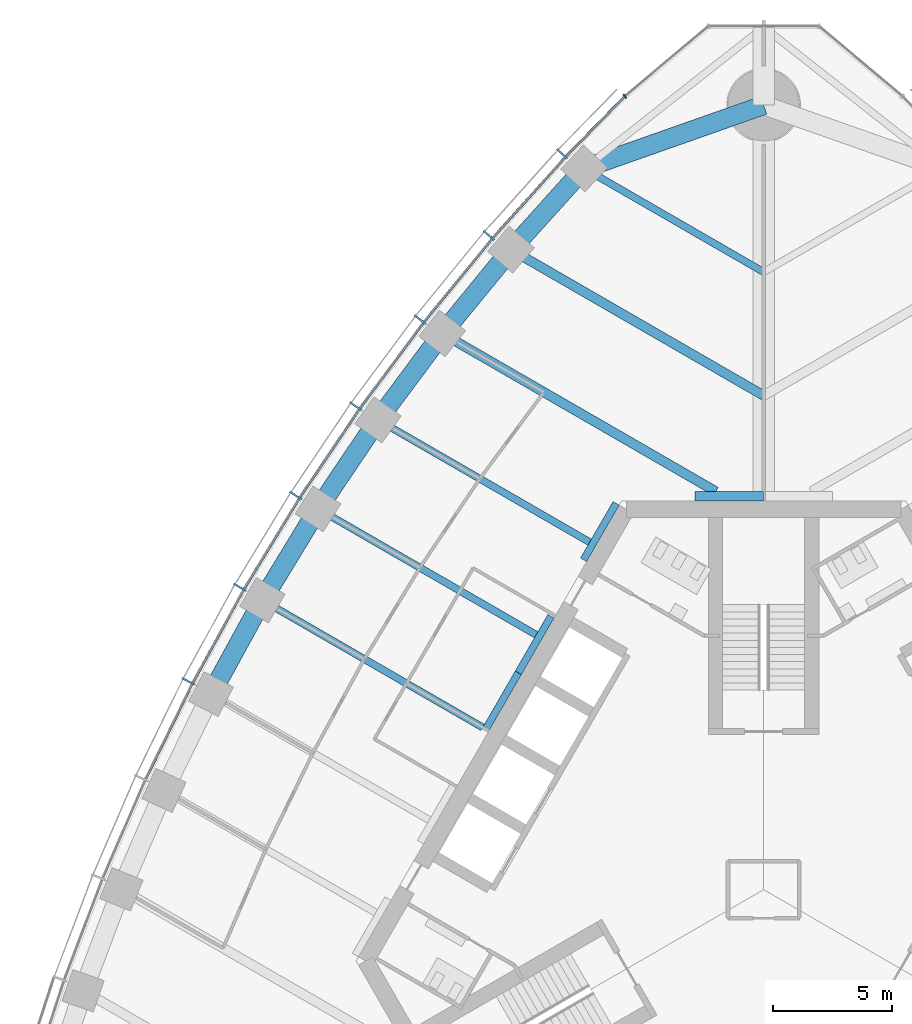
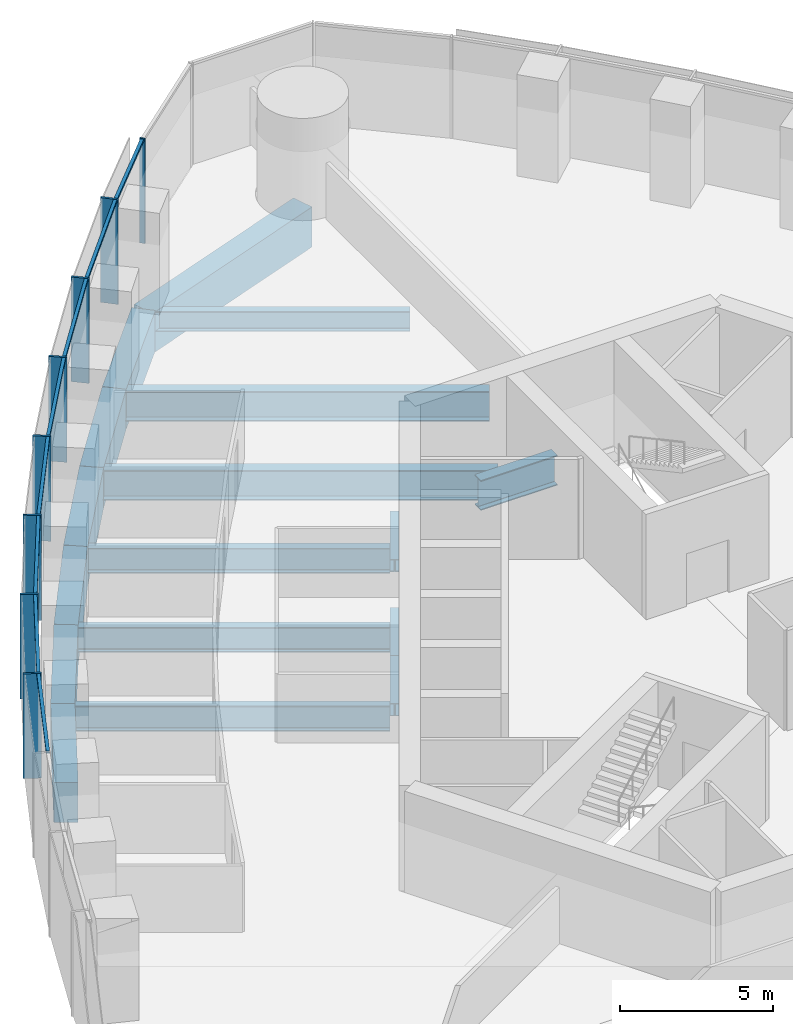
# One storey, part 5 of 19: 17 beams, 16 members, 2 elements without a shape of their own.
"""IFC4 building model written with IfcOpenShell, lengths in metres."""

from ifc_helpers import new_model, si_unit, direction, frame, origin, origin_2d, place, context, subcontext, project, spatial, rectangle, i_section, extrude, material, material_profile, profile_set, type_object, element, aggregate, save


model = new_model("IFC4")

# Units and contexts
model_context = context("Model", 3, precision=1e-05, world=origin(), true_north=direction((0.0, 1.0)))
body_context = subcontext(model_context, "Body", "Model", "MODEL_VIEW")
ifc_project = project(units=[si_unit("LENGTHUNIT", "METRE"), si_unit("AREAUNIT", "SQUARE_METRE"), si_unit("VOLUMEUNIT", "CUBIC_METRE"), si_unit("PLANEANGLEUNIT", "RADIAN"), si_unit("MASSUNIT", "GRAM", prefix="KILO")], contexts=[model_context])

# Site, building, storey
site_placement = place(None, origin())
site = spatial("IfcSite", under=ifc_project, at=site_placement, CompositionType="ELEMENT")
building_placement = place(site_placement, origin())
building = spatial("IfcBuilding", under=site, at=building_placement, Name="Trefoil Bronze Tower", CompositionType="ELEMENT")
storey_placement = place(building_placement, frame((0.0, 0.0, 248.5)))
storey = spatial("IfcBuildingStorey", under=building, at=storey_placement, Name="L57", CompositionType="ELEMENT", Elevation=248.5)

# Curtain wall, members
ifc_material_1 = material(Name="Tinted solar-control glass", Category="glass")
curtain_wall_type_1 = type_object("IfcCurtainWallType", Name="Bronze office curtain wall", PredefinedType="USERDEFINED", material=ifc_material_1)
curtain_wall_1_placement = place(storey_placement, origin())
curtain_wall_1 = element("IfcCurtainWall", 1, at=curtain_wall_1_placement, inside=storey, type_object=curtain_wall_type_1, Name="CW-A L57 F3", ObjectType="CURTAIN WALL", PredefinedType="USERDEFINED")
ifc_material_2 = material(Name="Bronze-finish aluminium", Category="aluminium")
ifc_material_profile_1 = material_profile(ifc_material_2, rectangle(XDim=0.60009765625, YDim=0.080078125, at=origin_2d()), Name="CW-A mullion")
ifc_profile_set_1 = profile_set([ifc_material_profile_1], Name="Bronze-finish aluminium")
member_type_1 = type_object("IfcMemberType", Name="Bronze office curtain wall mullion", PredefinedType="MULLION", material=ifc_profile_set_1)
member_1_placement = place(storey_placement, frame((-8.482177734375, 30.95654296875, 0.0), z_axis=(0.0, 0.0, 1.0), x_axis=(0.729859580661, -0.683597098091, 0.0)))
member_1 = element("IfcMember", 2, at=member_1_placement, type_object=member_type_1, Name="CW-A L57 F3 mullion 2", PredefinedType="MULLION", context=body_context, shape_type="SweptSolid", body=[
    extrude(rectangle(XDim=0.60009765625, YDim=0.080078125, at=origin_2d()), origin(), (0.0, 0.0, 1.0), 4.179931640625),
])
member_2_placement = place(storey_placement, frame((-11.564697265625, 27.525146484375, 0.0), z_axis=(0.0, 0.0, 1.0), x_axis=(0.75935470958, -0.650676897576, 0.0)))
member_2 = element("IfcMember", 3, at=member_2_placement, type_object=member_type_1, Name="CW-A L57 F3 mullion 3", PredefinedType="MULLION", context=body_context, shape_type="SweptSolid", body=[
    extrude(rectangle(XDim=0.60009765625, YDim=0.080078125, at=origin_2d()), origin(), (0.0, 0.0, 1.0), 4.179931640625),
])
member_3_placement = place(storey_placement, frame((-14.45849609375, 23.98388671875, 0.0), z_axis=(0.0, 0.0, 1.0), x_axis=(0.788821461078, -0.614622406476, 0.0)))
member_3 = element("IfcMember", 4, at=member_3_placement, type_object=member_type_1, Name="CW-A L57 F3 mullion 4", PredefinedType="MULLION", context=body_context, shape_type="SweptSolid", body=[
    extrude(rectangle(XDim=0.60009765625, YDim=0.080078125, at=origin_2d()), origin(), (0.0, 0.0, 1.0), 4.179931640625),
])
member_4_placement = place(storey_placement, frame((-17.167236328125, 20.335693359375, 0.0), z_axis=(0.0, 0.0, 1.0), x_axis=(0.81640398396, -0.577481198806, 0.0)))
member_4 = element("IfcMember", 5, at=member_4_placement, type_object=member_type_1, Name="CW-A L57 F3 mullion 5", PredefinedType="MULLION", context=body_context, shape_type="SweptSolid", body=[
    extrude(rectangle(XDim=0.60009765625, YDim=0.080078125, at=origin_2d()), origin(), (0.0, 0.0, 1.0), 4.179931640625),
])
member_5_placement = place(storey_placement, frame((-19.694091796875, 16.58251953125, 0.0), z_axis=(0.0, 0.0, 1.0), x_axis=(0.842132664593, -0.539270410114, 0.0)))
member_5 = element("IfcMember", 6, at=member_5_placement, type_object=member_type_1, Name="CW-A L57 F3 mullion 6", PredefinedType="MULLION", context=body_context, shape_type="SweptSolid", body=[
    extrude(rectangle(XDim=0.60009765625, YDim=0.080078125, at=origin_2d()), origin(), (0.0, 0.0, 1.0), 4.179931640625),
])
member_6_placement = place(storey_placement, frame((-22.041015625, 12.725341796875, 0.0), z_axis=(0.0, 0.0, 1.0), x_axis=(0.866025403784, -0.5, 0.0)))
member_6 = element("IfcMember", 7, at=member_6_placement, type_object=member_type_1, Name="CW-A L57 F3 mullion 7", PredefinedType="MULLION", context=body_context, shape_type="SweptSolid", body=[
    extrude(rectangle(XDim=0.60009765625, YDim=0.080078125, at=origin_2d()), origin(), (0.0, 0.0, 1.0), 4.179931640625),
])
member_7_placement = place(storey_placement, frame((-24.2080078125, 8.764404296875, 0.0), z_axis=(0.0, 0.0, 1.0), x_axis=(0.888088206965, -0.459673075837, 0.0)))
member_7 = element("IfcMember", 8, at=member_7_placement, type_object=member_type_1, Name="CW-A L57 F3 mullion 8", PredefinedType="MULLION", context=body_context, shape_type="SweptSolid", body=[
    extrude(rectangle(XDim=0.60009765625, YDim=0.080078125, at=origin_2d()), origin(), (0.0, 0.0, 1.0), 4.179931640625),
])
ifc_material_3 = material(Name="Bronze-finish aluminium", Category="aluminium")
ifc_material_profile_2 = material_profile(ifc_material_3, rectangle(XDim=0.1201171875, YDim=0.10009765625, at=origin_2d()), Name="CW-A transom")
ifc_profile_set_2 = profile_set([ifc_material_profile_2], Name="Bronze-finish aluminium")
member_type_2 = type_object("IfcMemberType", Name="Bronze office curtain wall transom", PredefinedType="USERDEFINED", material=ifc_profile_set_2)
member_8_placement = place(storey_placement, frame((-5.873046875, 33.342529296875, 4.1298828125), z_axis=(-0.698646935368, -0.715466602785, 0.0), x_axis=(0.715466602785, -0.698646935368, 0.0)))
member_8 = element("IfcMember", 9, at=member_8_placement, type_object=member_type_2, Name="CW-A L57 F3 transom 1", ObjectType="TRANSOM", PredefinedType="USERDEFINED", context=body_context, shape_type="SweptSolid", body=[
    extrude(rectangle(XDim=0.1201171875, YDim=0.10009765625, at=origin_2d()), origin(), (0.0, 0.0, 1.0), 3.483642578125),
])
member_9_placement = place(storey_placement, frame((-8.364501953125, 30.78857421875, 4.1298828125), z_axis=(-0.66825109551, -0.743935799213, 0.0), x_axis=(0.743935799213, -0.66825109551, 0.0)))
member_9 = element("IfcMember", 10, at=member_9_placement, type_object=member_type_2, Name="CW-A L57 F3 transom 2", ObjectType="TRANSOM", PredefinedType="USERDEFINED", context=body_context, shape_type="SweptSolid", body=[
    extrude(rectangle(XDim=0.1201171875, YDim=0.10009765625, at=origin_2d()), origin(), (0.0, 0.0, 1.0), 4.519287109375),
])
member_10_placement = place(storey_placement, frame((-11.439453125, 27.3623046875, 4.1298828125), z_axis=(-0.632756871921, -0.774350528531, 0.0), x_axis=(0.774350528531, -0.632756871921, 0.0)))
member_10 = element("IfcMember", 11, at=member_10_placement, type_object=member_type_2, Name="CW-A L57 F3 transom 3", ObjectType="TRANSOM", PredefinedType="USERDEFINED", context=body_context, shape_type="SweptSolid", body=[
    extrude(rectangle(XDim=0.1201171875, YDim=0.10009765625, at=origin_2d()), origin(), (0.0, 0.0, 1.0), 4.4794921875),
])
member_11_placement = place(storey_placement, frame((-14.325927734375, 23.826904296875, 4.1298828125), z_axis=(-0.59614822717, -0.802874393191, 0.0), x_axis=(0.802874393191, -0.59614822717, 0.0)))
member_11 = element("IfcMember", 12, at=member_11_placement, type_object=member_type_2, Name="CW-A L57 F3 transom 4", ObjectType="TRANSOM", PredefinedType="USERDEFINED", context=body_context, shape_type="SweptSolid", body=[
    extrude(rectangle(XDim=0.1201171875, YDim=0.10009765625, at=origin_2d()), origin(), (0.0, 0.0, 1.0), 4.449951171875),
])
member_12_placement = place(storey_placement, frame((-17.027587890625, 20.18505859375, 4.1298828125), z_axis=(-0.558509087547, -0.829498402125, 0.0), x_axis=(0.829498402125, -0.558509087547, 0.0)))
member_12 = element("IfcMember", 13, at=member_12_placement, type_object=member_type_2, Name="CW-A L57 F3 transom 5", ObjectType="TRANSOM", PredefinedType="USERDEFINED", context=body_context, shape_type="SweptSolid", body=[
    extrude(rectangle(XDim=0.1201171875, YDim=0.10009765625, at=origin_2d()), origin(), (0.0, 0.0, 1.0), 4.4306640625),
])
member_13_placement = place(storey_placement, frame((-19.5478515625, 16.4384765625, 4.1298828125), z_axis=(-0.519740214649, -0.854324358354, 0.0), x_axis=(0.854324358354, -0.519740214649, 0.0)))
member_13 = element("IfcMember", 14, at=member_13_placement, type_object=member_type_2, Name="CW-A L57 F3 transom 6", ObjectType="TRANSOM", PredefinedType="USERDEFINED", context=body_context, shape_type="SweptSolid", body=[
    extrude(rectangle(XDim=0.1201171875, YDim=0.10009765625, at=origin_2d()), origin(), (0.0, 0.0, 1.0), 4.421142578125),
])
member_14_placement = place(storey_placement, frame((-21.887939453125, 12.588134765625, 4.1298828125), z_axis=(-0.479973729071, -0.877282861683, 0.0), x_axis=(0.877282861683, -0.479973729071, 0.0)))
member_14 = element("IfcMember", 15, at=member_14_placement, type_object=member_type_2, Name="CW-A L57 F3 transom 7", ObjectType="TRANSOM", PredefinedType="USERDEFINED", context=body_context, shape_type="SweptSolid", body=[
    extrude(rectangle(XDim=0.1201171875, YDim=0.10009765625, at=origin_2d()), origin(), (0.0, 0.0, 1.0), 4.421142578125),
])
member_15_placement = place(storey_placement, frame((-24.048828125, 8.634521484375, 4.1298828125), z_axis=(-0.439150835991, -0.898413347657, 0.0), x_axis=(0.898413347657, -0.439150835991, 0.0)))
member_15 = element("IfcMember", 16, at=member_15_placement, type_object=member_type_2, Name="CW-A L57 F3 transom 8", ObjectType="TRANSOM", PredefinedType="USERDEFINED", context=body_context, shape_type="SweptSolid", body=[
    extrude(rectangle(XDim=0.1201171875, YDim=0.10009765625, at=origin_2d()), origin(), (0.0, 0.0, 1.0), 4.430908203125),
])
aggregate(curtain_wall_1, [member_1, member_2, member_3, member_4, member_5, member_6, member_7, member_8, member_9, member_10, member_11, member_12, member_13, member_14, member_15])

# Curtain wall, member
ifc_material_4 = material(Name="Tinted solar-control glass", Category="glass")
curtain_wall_type_2 = type_object("IfcCurtainWallType", Name="Bronze rounded corner curtain wall", PredefinedType="USERDEFINED", material=ifc_material_4)
curtain_wall_2_placement = place(storey_placement, origin())
curtain_wall_2 = element("IfcCurtainWall", 17, at=curtain_wall_2_placement, inside=storey, type_object=curtain_wall_type_2, Name="CW-B L57 K2", ObjectType="CURTAIN WALL", PredefinedType="USERDEFINED")
ifc_material_5 = material(Name="Bronze-finish aluminium", Category="aluminium")
ifc_material_profile_3 = material_profile(ifc_material_5, rectangle(XDim=0.199951171875, YDim=0.06005859375, at=origin_2d()), Name="CW-B mullion")
ifc_profile_set_3 = profile_set([ifc_material_profile_3], Name="Bronze-finish aluminium")
member_type_3 = type_object("IfcMemberType", Name="Bronze rounded corner curtain wall mullion", PredefinedType="MULLION", material=ifc_profile_set_3)
member_16_placement = place(storey_placement, frame((-5.837890625, 33.3779296875, 0.0), z_axis=(0.0, 0.0, 1.0), x_axis=(0.642787609687, -0.766044443119, 0.0)))
member_16 = element("IfcMember", 18, at=member_16_placement, type_object=member_type_3, Name="CW-B L57 K2 mullion 4", PredefinedType="MULLION", context=body_context, shape_type="SweptSolid", body=[
    extrude(rectangle(XDim=0.199951171875, YDim=0.06005859375, at=origin_2d()), origin(), (0.0, 0.0, 1.0), 4.179931640625),
])
aggregate(curtain_wall_2, [member_16])

# Beams
ifc_material_6 = material(Name="Steel C355", Category="steel")
ifc_material_profile_4 = material_profile(ifc_material_6, i_section(OverallWidth=0.300048828125, OverallDepth=0.5, WebThickness=0.014404296875, FlangeThickness=0.028076171875, FilletRadius=0.027099609375, at=origin_2d()), Name="HEB 500")
ifc_profile_set_4 = profile_set([ifc_material_profile_4], Name="Steel C355")
beam_type_1 = type_object("IfcBeamType", Name="Core seat beam HEB 500", PredefinedType="BEAM", material=ifc_profile_set_4)
for number, where, z_axis, x_axis, name in (
    (19, (-6.20654296875, 16.25, -0.449951171875), (-0.499969057507, -0.866043267704, 0.0), (0.866043267704, -0.499969057507, 0.0), "Core seat beam F3/-2 L57"),
    (20, (-8.948974609375, 11.5, -0.449951171875), (-0.499969057507, -0.866043267704, 0.0), (0.866043267704, -0.499969057507, 0.0), "Core seat beam F3/-1 L57"),
    (21, (-10.320068359375, 9.125, -0.449951171875), (-0.500035825175, -0.866004719122, 0.0), (0.866004719122, -0.500035825175, 0.0), "Core seat beam F3/+0 L57"),
):
    element("IfcBeam", number, at=place(storey_placement, frame(where, z_axis=z_axis, x_axis=x_axis)), inside=storey, type_object=beam_type_1, Name=name, PredefinedType="BEAM", context=body_context, shape_type="SweptSolid", body=[
        extrude(i_section(OverallWidth=0.300048828125, OverallDepth=0.5, WebThickness=0.014404296875, FlangeThickness=0.028076171875, FilletRadius=0.027099609375, at=origin_2d()), origin(), (0.0, 0.0, 1.0), 2.742431640625),
    ])
ifc_material_7 = material(Name="Steel C355", Category="steel")
ifc_material_profile_5 = material_profile(ifc_material_7, i_section(OverallWidth=0.39990234375, OverallDepth=1.199951171875, WebThickness=0.02001953125, FlangeThickness=0.0400390625, FilletRadius=0.010009765625, at=origin_2d()), Name="WPG 1200")
ifc_profile_set_5 = profile_set([ifc_material_profile_5], Name="Steel C355")
beam_type_2 = type_object("IfcBeamType", Name="Core seat beam WPG 1200", PredefinedType="BEAM", material=ifc_profile_set_5)
beam_1_placement = place(storey_placement, frame((0.0, 16.550048828125, -0.800048828125), z_axis=(-1.0, 0.0, 0.0), x_axis=(0.0, -1.0, 0.0)))
element("IfcBeam", 22, at=beam_1_placement, inside=storey, type_object=beam_type_2, Name="Core seat beam F3/-3 L57", PredefinedType="BEAM", context=body_context, shape_type="SweptSolid", body=[
    extrude(i_section(OverallWidth=0.39990234375, OverallDepth=1.199951171875, WebThickness=0.02001953125, FlangeThickness=0.0400390625, FilletRadius=0.010009765625, at=origin_2d()), origin(), (0.0, 0.0, 1.0), 2.88671875),
])
ifc_material_8 = material(Name="Concrete B80", Category="concrete")
ifc_material_profile_6 = material_profile(ifc_material_8, rectangle(XDim=0.800048828125, YDim=1.60009765625, at=origin_2d()), Name="RC 800x1600")
ifc_profile_set_6 = profile_set([ifc_material_profile_6], Name="Concrete B80")
beam_type_3 = type_object("IfcBeamType", Name="End spandrel beam RC 800x1600", PredefinedType="SPANDREL", material=ifc_profile_set_6)
beam_2_placement = place(storey_placement, frame((0.0, 33.0, -1.0), z_axis=(-0.943234397359, -0.332127794137, 0.0), x_axis=(0.332127794137, -0.943234397359, 0.0)))
element("IfcBeam", 23, at=beam_2_placement, inside=storey, type_object=beam_type_3, Name="Spandrel F3.1 L57", PredefinedType="SPANDREL", context=body_context, shape_type="SweptSolid", body=[
    extrude(rectangle(XDim=0.800048828125, YDim=1.60009765625, at=origin_2d()), origin(), (0.0, 0.0, 1.0), 8.006591796875),
])
ifc_material_9 = material(Name="Steel C355", Category="steel")
ifc_material_profile_7 = material_profile(ifc_material_9, i_section(OverallWidth=0.300048828125, OverallDepth=1.0, WebThickness=0.01904296875, FlangeThickness=0.035888671875, FilletRadius=0.030029296875, at=origin_2d()), Name="HEB 1000")
ifc_profile_set_7 = profile_set([ifc_material_profile_7], Name="Steel C355")
beam_type_4 = type_object("IfcBeamType", Name="Floor beam HEB 1000", PredefinedType="BEAM", material=ifc_profile_set_7)
beam_3_placement = place(storey_placement, frame((-16.2265625, 19.7607421875, -0.699951171875), z_axis=(0.866019527493, -0.500010177898, 0.0), x_axis=(0.500010177898, 0.866019527493, 0.0)))
element("IfcBeam", 24, at=beam_3_placement, inside=storey, type_object=beam_type_4, Name="Floor beam F3/-2 L57", PredefinedType="BEAM", context=body_context, shape_type="SweptSolid", body=[
    extrude(i_section(OverallWidth=0.300048828125, OverallDepth=1.0, WebThickness=0.01904296875, FlangeThickness=0.035888671875, FilletRadius=0.030029296875, at=origin_2d()), origin(), (0.0, 0.0, 1.0), 10.282958984375),
])
ifc_material_10 = material(Name="Steel C355", Category="steel")
ifc_material_profile_8 = material_profile(ifc_material_10, i_section(OverallWidth=0.300048828125, OverallDepth=0.800048828125, WebThickness=0.017578125, FlangeThickness=0.032958984375, FilletRadius=0.030029296875, at=origin_2d()), Name="HEB 800")
ifc_profile_set_8 = profile_set([ifc_material_profile_8], Name="Steel C355")
beam_type_5 = type_object("IfcBeamType", Name="Floor beam HEB 800", PredefinedType="BEAM", material=ifc_profile_set_8)
beam_4_placement = place(storey_placement, frame((-7.552001953125, 30.3408203125, -0.60009765625), z_axis=(0.866027535932, -0.499996306993, 0.0), x_axis=(0.499996306993, 0.866027535932, 0.0)))
element("IfcBeam", 25, at=beam_4_placement, inside=storey, type_object=beam_type_5, Name="Floor beam F3/-5 L57", PredefinedType="BEAM", context=body_context, shape_type="SweptSolid", body=[
    extrude(i_section(OverallWidth=0.300048828125, OverallDepth=0.800048828125, WebThickness=0.017578125, FlangeThickness=0.032958984375, FilletRadius=0.030029296875, at=origin_2d()), origin(), (0.0, 0.0, 1.0), 8.72021484375),
])
ifc_material_11 = material(Name="Steel C355", Category="steel")
ifc_material_profile_9 = material_profile(ifc_material_11, i_section(OverallWidth=0.302001953125, OverallDepth=1.008056640625, WebThickness=0.02099609375, FlangeThickness=0.0400390625, FilletRadius=0.030029296875, at=origin_2d()), Name="HEM 1000")
ifc_profile_set_9 = profile_set([ifc_material_profile_9], Name="Steel C355")
beam_type_6 = type_object("IfcBeamType", Name="Floor beam HEM 1000", PredefinedType="BEAM", material=ifc_profile_set_9)
beam_5_placement = place(storey_placement, frame((-18.748046875, 16.020263671875, -0.7041015625), z_axis=(0.86602981261, -0.499992363612, 0.0), x_axis=(0.499992363612, 0.86602981261, 0.0)))
element("IfcBeam", 26, at=beam_5_placement, inside=storey, type_object=beam_type_6, Name="Floor beam F3/-1 L57", PredefinedType="BEAM", context=body_context, shape_type="SweptSolid", body=[
    extrude(i_section(OverallWidth=0.302001953125, OverallDepth=1.008056640625, WebThickness=0.02099609375, FlangeThickness=0.0400390625, FilletRadius=0.030029296875, at=origin_2d()), origin(), (0.0, 0.0, 1.0), 10.596435546875),
])
beam_6_placement = place(storey_placement, frame((-21.08837890625, 12.17529296875, -0.7041015625), z_axis=(0.86602601154, -0.499998947334, 0.0), x_axis=(0.499998947334, 0.86602601154, 0.0)))
element("IfcBeam", 27, at=beam_6_placement, inside=storey, type_object=beam_type_6, Name="Floor beam F3/+0 L57", PredefinedType="BEAM", context=body_context, shape_type="SweptSolid", body=[
    extrude(i_section(OverallWidth=0.302001953125, OverallDepth=1.008056640625, WebThickness=0.02099609375, FlangeThickness=0.0400390625, FilletRadius=0.030029296875, at=origin_2d()), origin(), (0.0, 0.0, 1.0), 10.70068359375),
])
ifc_material_12 = material(Name="Steel C355", Category="steel")
ifc_material_profile_10 = material_profile(ifc_material_12, i_section(OverallWidth=0.39990234375, OverallDepth=1.199951171875, WebThickness=0.02001953125, FlangeThickness=0.0400390625, FilletRadius=0.010009765625, at=origin_2d()), Name="WPG 1200")
ifc_profile_set_10 = profile_set([ifc_material_profile_10], Name="Steel C355")
beam_type_7 = type_object("IfcBeamType", Name="Floor beam WPG 1200", PredefinedType="BEAM", material=ifc_profile_set_10)
beam_7_placement = place(storey_placement, frame((-10.632080078125, 26.923095703125, -0.800048828125), z_axis=(0.866025635187, -0.499999599199, 0.0), x_axis=(0.499999599199, 0.866025635187, 0.0)))
element("IfcBeam", 28, at=beam_7_placement, inside=storey, type_object=beam_type_7, Name="Floor beam F3/-4 L57", PredefinedType="BEAM", context=body_context, shape_type="SweptSolid", body=[
    extrude(i_section(OverallWidth=0.39990234375, OverallDepth=1.199951171875, WebThickness=0.02001953125, FlangeThickness=0.0400390625, FilletRadius=0.010009765625, at=origin_2d()), origin(), (0.0, 0.0, 1.0), 12.27685546875),
])
beam_8_placement = place(storey_placement, frame((-13.522216796875, 23.3955078125, -0.800048828125), z_axis=(0.866023461342, -0.500003364394, 0.0), x_axis=(0.500003364394, 0.866023461342, 0.0)))
element("IfcBeam", 29, at=beam_8_placement, inside=storey, type_object=beam_type_7, Name="Floor beam F3/-3 L57", PredefinedType="BEAM", context=body_context, shape_type="SweptSolid", body=[
    extrude(i_section(OverallWidth=0.39990234375, OverallDepth=1.199951171875, WebThickness=0.02001953125, FlangeThickness=0.0400390625, FilletRadius=0.010009765625, at=origin_2d()), origin(), (0.0, 0.0, 1.0), 13.291015625),
])
ifc_material_13 = material(Name="Concrete B80", Category="concrete")
ifc_material_profile_11 = material_profile(ifc_material_13, rectangle(XDim=0.800048828125, YDim=1.60009765625, at=origin_2d()), Name="RC 800x1600")
ifc_profile_set_11 = profile_set([ifc_material_profile_11], Name="Concrete B80")
beam_type_8 = type_object("IfcBeamType", Name="Spandrel beam RC 800x1600", PredefinedType="SPANDREL", material=ifc_profile_set_11)
beam_9_placement = place(storey_placement, frame((-7.552001953125, 30.3408203125, -1.0), z_axis=(-0.669460045872, -0.742848064534, 0.0), x_axis=(0.742848064534, -0.669460045872, 0.0)))
element("IfcBeam", 30, at=beam_9_placement, inside=storey, type_object=beam_type_8, Name="Spandrel F3.2 L57", PredefinedType="SPANDREL", context=body_context, shape_type="SweptSolid", body=[
    extrude(rectangle(XDim=0.800048828125, YDim=1.60009765625, at=origin_2d()), origin(), (0.0, 0.0, 1.0), 4.600830078125),
])
beam_10_placement = place(storey_placement, frame((-10.632080078125, 26.923095703125, -1.0), z_axis=(-0.633753657863, -0.773534938542, 0.0), x_axis=(0.773534938542, -0.633753657863, 0.0)))
element("IfcBeam", 31, at=beam_10_placement, inside=storey, type_object=beam_type_8, Name="Spandrel F3.3 L57", PredefinedType="SPANDREL", context=body_context, shape_type="SweptSolid", body=[
    extrude(rectangle(XDim=0.800048828125, YDim=1.60009765625, at=origin_2d()), origin(), (0.0, 0.0, 1.0), 4.560302734375),
])
beam_11_placement = place(storey_placement, frame((-13.522216796875, 23.3955078125, -1.0), z_axis=(-0.596926078257, -0.802296240236, 0.0), x_axis=(0.802296240236, -0.596926078257, 0.0)))
element("IfcBeam", 32, at=beam_11_placement, inside=storey, type_object=beam_type_8, Name="Spandrel F3.4 L57", PredefinedType="SPANDREL", context=body_context, shape_type="SweptSolid", body=[
    extrude(rectangle(XDim=0.800048828125, YDim=1.60009765625, at=origin_2d()), origin(), (0.0, 0.0, 1.0), 4.530517578125),
])
beam_12_placement = place(storey_placement, frame((-16.2265625, 19.7607421875, -1.0), z_axis=(-0.558964302753, -0.829191719838, 0.0), x_axis=(0.829191719838, -0.558964302753, 0.0)))
element("IfcBeam", 33, at=beam_12_placement, inside=storey, type_object=beam_type_8, Name="Spandrel F3.5 L57", PredefinedType="SPANDREL", context=body_context, shape_type="SweptSolid", body=[
    extrude(rectangle(XDim=0.800048828125, YDim=1.60009765625, at=origin_2d()), origin(), (0.0, 0.0, 1.0), 4.510986328125),
])
for number, where, z_axis, x_axis, name in (
    (34, (-18.748046875, 16.020263671875, -1.0), (-0.519933181394, -0.854206934464, 0.0), (0.854206934464, -0.519933181394, 0.0), "Spandrel F3.6 L57"),
    (35, (-21.08837890625, 12.17529296875, -1.0), (-0.479801903802, -0.87737684783, 0.0), (0.87737684783, -0.479801903802, 0.0), "Spandrel F3.7 L57"),
):
    element("IfcBeam", number, at=place(storey_placement, frame(where, z_axis=z_axis, x_axis=x_axis)), inside=storey, type_object=beam_type_8, Name=name, PredefinedType="SPANDREL", context=body_context, shape_type="SweptSolid", body=[
        extrude(rectangle(XDim=0.800048828125, YDim=1.60009765625, at=origin_2d()), origin(), (0.0, 0.0, 1.0), 4.501220703125),
    ])

save(model, "model.ifc")
